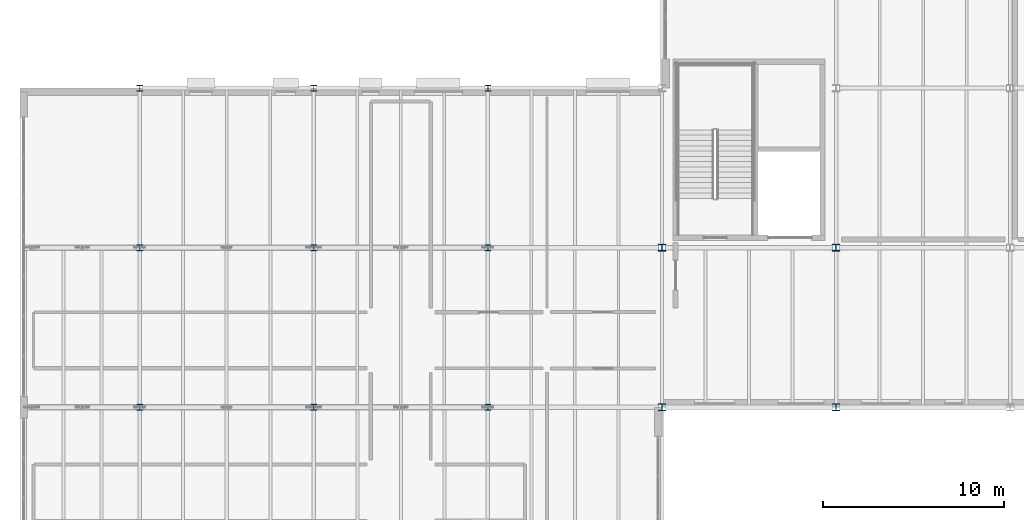
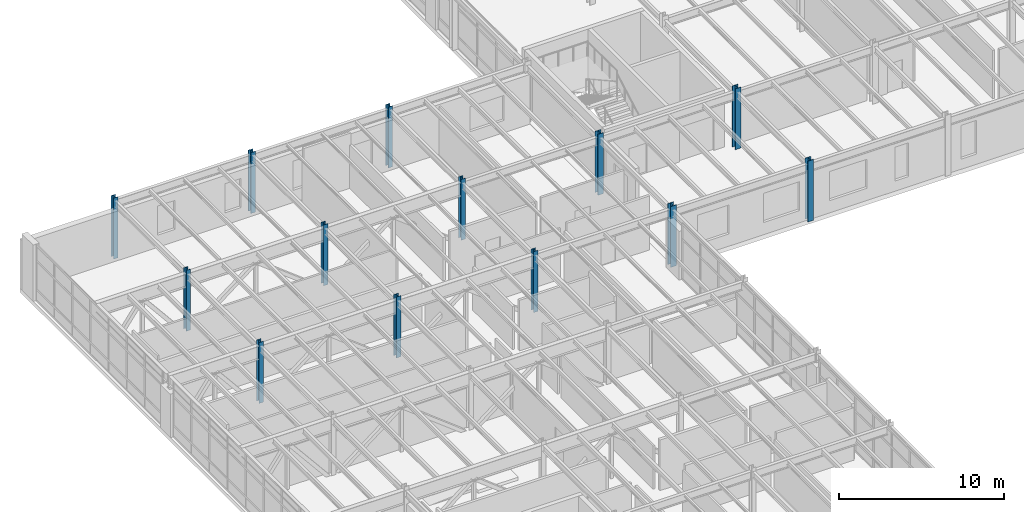
# One storey, part 6 of 88: 13 columns.
"""IFC4 building model written with IfcOpenShell, lengths in metres."""

from ifc_helpers import new_model, si_unit, direction, frame, origin, origin_2d, place, context, subcontext, project, spatial, i_section, extrude, material, material_profile, profile_set, type_object, element, save


model = new_model("IFC4")

# Units and contexts
model_context = context("Model", 3, precision=1e-05, world=origin(), true_north=direction((0.0, 1.0)))
body_context = subcontext(model_context, "Body", "Model", "MODEL_VIEW")
ifc_project = project(units=[si_unit("LENGTHUNIT", "METRE"), si_unit("AREAUNIT", "SQUARE_METRE"), si_unit("VOLUMEUNIT", "CUBIC_METRE"), si_unit("PLANEANGLEUNIT", "RADIAN"), si_unit("MASSUNIT", "GRAM", prefix="KILO")], contexts=[model_context])

# Site, building, storey
site_placement = place(None, origin())
site = spatial("IfcSite", under=ifc_project, at=site_placement, CompositionType="ELEMENT")
building_placement = place(site_placement, origin())
building = spatial("IfcBuilding", under=site, at=building_placement, Name="Sarnbrook Museum", CompositionType="ELEMENT")
storey_placement = place(building_placement, frame((0.0, 0.0, 10.10009765625)))
storey = spatial("IfcBuildingStorey", under=building, at=storey_placement, Name="L02", CompositionType="ELEMENT", Elevation=10.10009765625)

# Columns
ifc_material_1 = material(Name="Structural Steel Grade 300PLUS (AS/NZS 3679.1, fy = 280 MPa for 17 < t <= 40 mm, 300 MPa for t <= 17 mm)", Category="steel")
ifc_material_profile_1 = material_profile(ifc_material_1, i_section(OverallWidth=0.31103515625, OverallDepth=0.326904296875, WebThickness=0.015625, FlangeThickness=0.02490234375, FilletRadius=0.0166015625, at=origin_2d()), Name="310UC158")
ifc_profile_set_1 = profile_set([ifc_material_profile_1], Name="Structural Steel Grade 300PLUS (AS/NZS 3679.1, fy = 280 MPa for 17 < t <= 40 mm, 300 MPa for t <= 17 mm)")
column_type_1 = type_object("IfcColumnType", Name="COL-UC310H", PredefinedType="COLUMN", material=ifc_profile_set_1)
for number, where, z_axis, x_axis, name in (
    (1, (13.60009765625, 74.39990234375, 0.0), (0.0, 0.0, 1.0), (1.0, 0.0, 0.0), "Column 2-J L02"),
    (2, (13.60009765625, 83.199951171875, 0.0), (0.0, 0.0, 1.0), (1.0, 0.0, 0.0), "Column 2-K L02"),
    (3, (13.60009765625, 92.0, 0.0), (0.0, 0.0, 1.0), (1.0, 0.0, 0.0), "Column 2-L L02"),
    (4, (23.199951171875, 74.39990234375, 0.0), (0.0, 0.0, 1.0), (1.0, 0.0, 0.0), "Column 3-J L02"),
    (5, (23.199951171875, 83.199951171875, 0.0), (0.0, 0.0, 1.0), (1.0, 0.0, 0.0), "Column 3-K L02"),
    (6, (23.199951171875, 92.0, 0.0), (0.0, 0.0, 1.0), (1.0, 0.0, 0.0), "Column 3-L L02"),
    (7, (32.800048828125, 74.39990234375, 0.0), (0.0, 0.0, 1.0), (1.0, 0.0, 0.0), "Column 4-J L02"),
    (8, (32.800048828125, 83.199951171875, 0.0), (0.0, 0.0, 1.0), (1.0, 0.0, 0.0), "Column 4-K L02"),
    (9, (32.800048828125, 92.0, 0.0), (0.0, 0.0, 1.0), (1.0, 0.0, 0.0), "Column 4-L L02"),
):
    element("IfcColumn", number, at=place(storey_placement, frame(where, z_axis=z_axis, x_axis=x_axis)), inside=storey, type_object=column_type_1, Name=name, PredefinedType="COLUMN", context=body_context, shape_type="SweptSolid", body=[
        extrude(i_section(OverallWidth=0.31103515625, OverallDepth=0.326904296875, WebThickness=0.015625, FlangeThickness=0.02490234375, FilletRadius=0.0166015625, at=origin_2d()), origin(), (0.0, 0.0, 1.0), 4.5),
    ])
ifc_material_2 = material(Name="Structural Steel Grade 350L0 (AS/NZS 3678, fy = 340 MPa for 20 < t <= 40 mm)", Category="steel")
ifc_material_profile_2 = material_profile(ifc_material_2, i_section(OverallWidth=0.39990234375, OverallDepth=0.382080078125, WebThickness=0.02490234375, FlangeThickness=0.035888671875, at=origin_2d()), Name="400WC270")
ifc_profile_set_2 = profile_set([ifc_material_profile_2], Name="Structural Steel Grade 350L0 (AS/NZS 3678, fy = 340 MPa for 20 < t <= 40 mm)")
column_type_2 = type_object("IfcColumnType", Name="COL-WC400", PredefinedType="COLUMN", material=ifc_profile_set_2)
for number, where, z_axis, x_axis, name in (
    (10, (42.39990234375, 74.39990234375, 0.0), (0.0, 0.0, 1.0), (1.0, 0.0, 0.0), "Column 5-J L02"),
    (11, (42.39990234375, 83.199951171875, 0.0), (0.0, 0.0, 1.0), (1.0, 0.0, 0.0), "Column 5-K L02"),
    (12, (52.0, 74.39990234375, 0.0), (0.0, 0.0, 1.0), (1.0, 0.0, 0.0), "Column 6-J L02"),
    (13, (52.0, 83.199951171875, 0.0), (0.0, 0.0, 1.0), (1.0, 0.0, 0.0), "Column 6-K L02"),
):
    element("IfcColumn", number, at=place(storey_placement, frame(where, z_axis=z_axis, x_axis=x_axis)), inside=storey, type_object=column_type_2, Name=name, PredefinedType="COLUMN", context=body_context, shape_type="SweptSolid", body=[
        extrude(i_section(OverallWidth=0.39990234375, OverallDepth=0.382080078125, WebThickness=0.02490234375, FlangeThickness=0.035888671875, at=origin_2d()), origin(), (0.0, 0.0, 1.0), 4.5),
    ])

save(model, "model.ifc")
